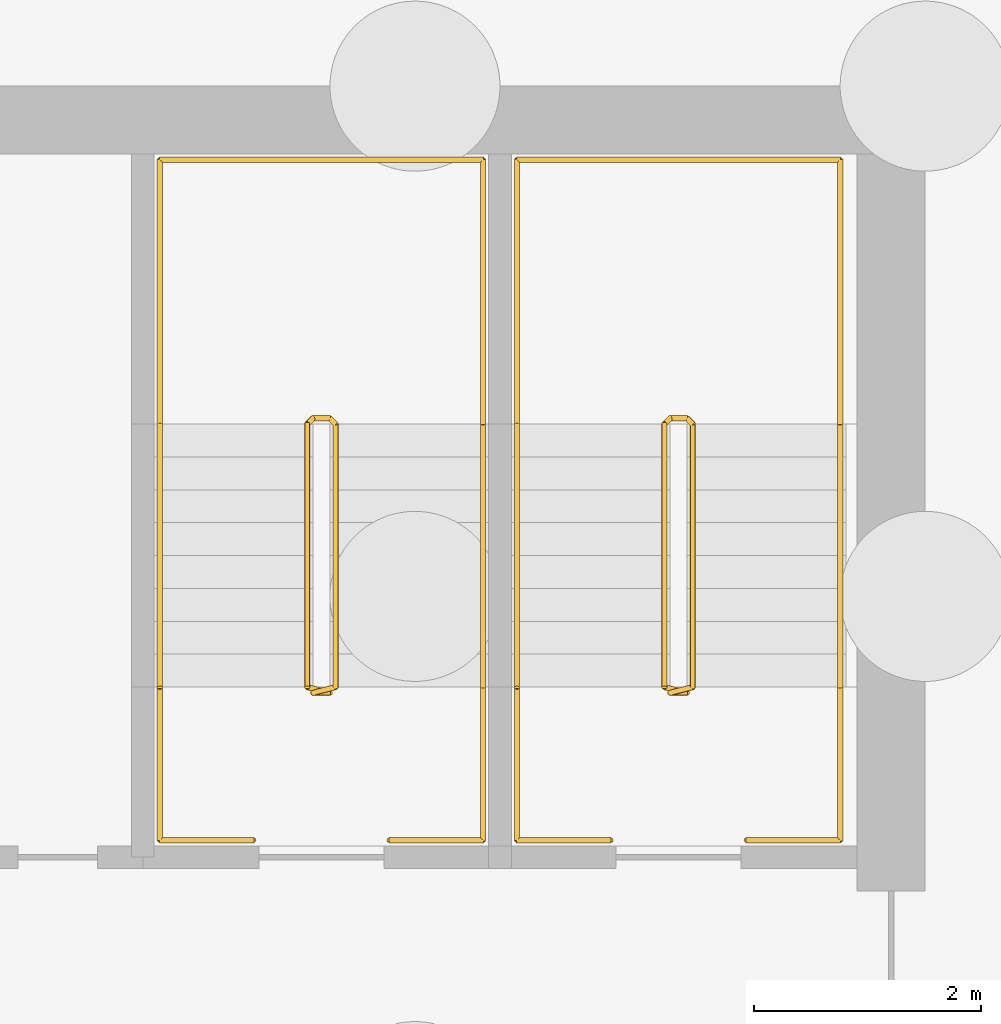
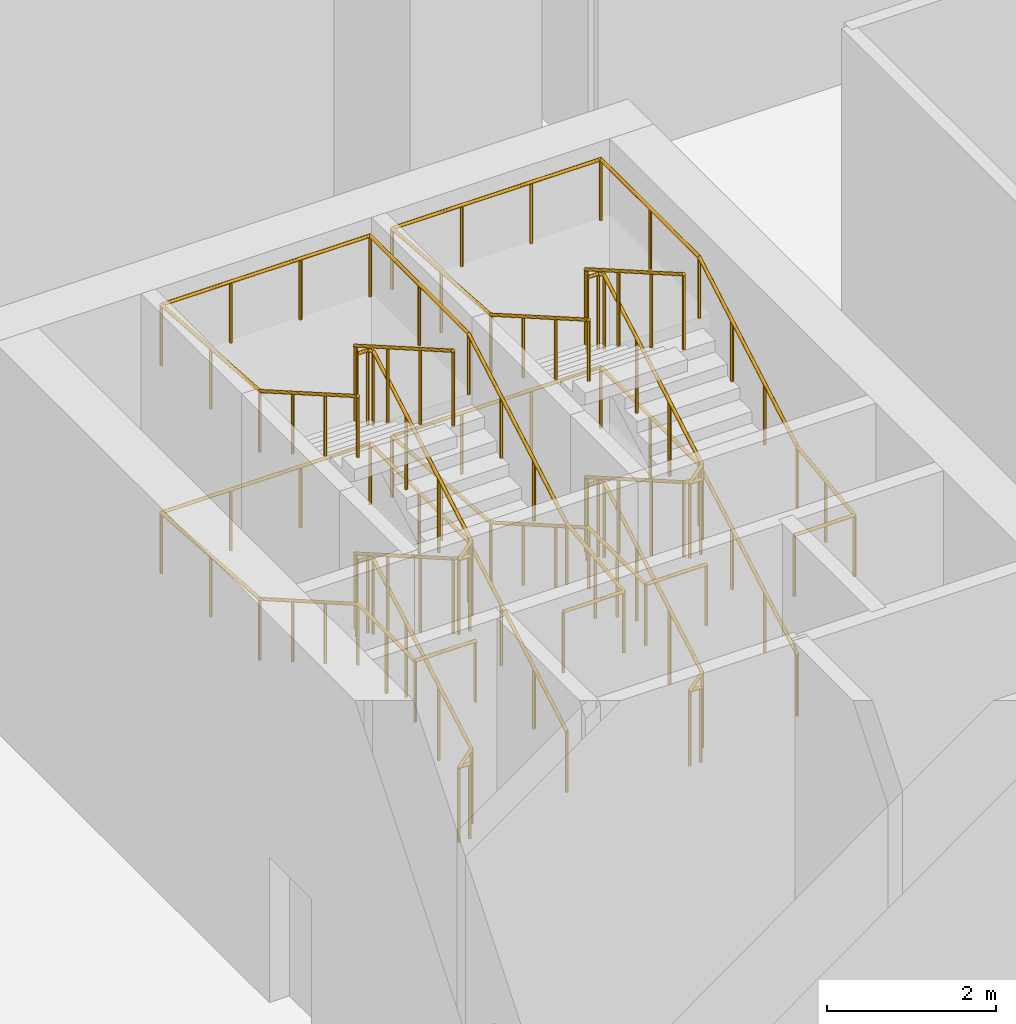
# One storey, part 20 of 26: 6 railings.
"""IFC4 building model written with IfcOpenShell, lengths in metres."""

from ifc_helpers import new_model, si_unit, direction, frame, origin, origin_2d, place, context, subcontext, project, spatial, circle, extrude, material, type_object, element, save


model = new_model("IFC4")

# Units and contexts
model_context = context("Model", 3, precision=1e-05, world=origin(), true_north=direction((0.0, 1.0)))
body_context = subcontext(model_context, "Body", "Model", "MODEL_VIEW")
ifc_project = project(units=[si_unit("LENGTHUNIT", "METRE"), si_unit("AREAUNIT", "SQUARE_METRE"), si_unit("VOLUMEUNIT", "CUBIC_METRE"), si_unit("PLANEANGLEUNIT", "RADIAN"), si_unit("MASSUNIT", "GRAM", prefix="KILO")], contexts=[model_context])

# Site, building, storey
site_placement = place(None, origin())
site = spatial("IfcSite", under=ifc_project, at=site_placement, CompositionType="ELEMENT")
building_placement = place(site_placement, origin())
building = spatial("IfcBuilding", under=site, at=building_placement, Name="Tessera Arch", CompositionType="ELEMENT")
storey_placement = place(building_placement, frame((0.0, 0.0, -6.0)))
storey = spatial("IfcBuildingStorey", under=building, at=storey_placement, Name="B1", CompositionType="ELEMENT", Elevation=-6.0)

# Railings
ifc_material_1 = material(Name="Painted steel balustrade", Category="steel")
railing_type_1 = type_object("IfcRailingType", Name="Stair guard 1100", PredefinedType="GUARDRAIL", material=ifc_material_1)
railing_1_placement = place(storey_placement, frame((15.89990234375, 17.14990234375, 0.0)))
element("IfcRailing", 1, at=railing_1_placement, inside=storey, type_object=railing_type_1, Name="B1 S4a stair guard 1", PredefinedType="GUARDRAIL", context=body_context, shape_type="SweptSolid", body=[
    extrude(circle(Radius=0.02392578125, at=origin_2d()), frame((0.00390625, 0.0, 1.076171875), z_axis=(-1.0, 0.0, 0.0), x_axis=(0.0, -1.0, 0.0)), (0.0, 0.0, 1.0), 0.157958984375),
    extrude(circle(Radius=0.02392578125, at=origin_2d()), frame((-0.15283203125, -0.000732421875, 1.073486328125), z_axis=(0.754182335027, 0.188775798145, 0.628945707965), x_axis=(-0.242814311512, 0.970072785993, 0.0)), (0.0, 0.0, 1.0), 0.273193359375),
    extrude(circle(Radius=0.02392578125, at=origin_2d()), frame((0.050048828125, 0.046630859375, 1.24072265625), z_axis=(0.0, 0.867033425039, 0.498249977285), x_axis=(-1.0, 0.0, 0.0)), (0.0, 0.0, 1.0), 2.683837890625),
    extrude(circle(Radius=0.02392578125, at=origin_2d()), frame((0.052978515625, 2.3671875, 2.576171875), z_axis=(-0.707106781187, 0.707106781187, 0.0), x_axis=(-0.707106781187, -0.707106781187, 0.0)), (0.0, 0.0, 1.0), 0.078857421875),
    extrude(circle(Radius=0.02392578125, at=origin_2d()), frame((0.00390625, 2.420166015625, 2.576171875), z_axis=(-1.0, 0.0, 0.0), x_axis=(0.0, -1.0, 0.0)), (0.0, 0.0, 1.0), 0.157958984375),
    extrude(circle(Radius=0.02392578125, at=origin_2d()), frame((-0.148681640625, 2.42138671875, 2.572265625), z_axis=(-0.27628659633, -0.27628659633, 0.920506074601), x_axis=(0.707106781187, -0.707106781187, 0.0)), (0.0, 0.0, 1.0), 0.189208984375),
    extrude(circle(Radius=0.02392578125, at=origin_2d()), frame((-0.199951171875, 2.37353515625, 2.74072265625), z_axis=(0.0, -0.867033425039, 0.498249977285), x_axis=(1.0, 0.0, 0.0)), (0.0, 0.0, 1.0), 2.683837890625),
    extrude(circle(Radius=0.02392578125, at=origin_2d()), frame((-0.203857421875, 0.051025390625, 4.076171875), z_axis=(0.970072785993, -0.242814311512, 0.0), x_axis=(0.242814311512, 0.970072785993, 0.0)), (0.0, 0.0, 1.0), 0.214111328125),
    extrude(circle(Radius=0.02392578125, at=origin_2d()), frame((0.00390625, 0.0, 4.076171875), z_axis=(-1.0, 0.0, 0.0), x_axis=(0.0, -1.0, 0.0)), (0.0, 0.0, 1.0), 0.157958984375),
    extrude(circle(Radius=0.02392578125, at=origin_2d()), frame((-0.15283203125, -0.000732421875, 4.073486328125), z_axis=(0.754182335027, 0.188775798145, 0.628945707965), x_axis=(-0.242814311512, 0.970072785993, 0.0)), (0.0, 0.0, 1.0), 0.273193359375),
    extrude(circle(Radius=0.02392578125, at=origin_2d()), frame((0.050048828125, 0.046630859375, 4.24072265625), z_axis=(0.0, 0.867033425039, 0.498249977285), x_axis=(-1.0, 0.0, 0.0)), (0.0, 0.0, 1.0), 2.683837890625),
    extrude(circle(Radius=0.02392578125, at=origin_2d()), frame((0.052978515625, 2.3671875, 5.576171875), z_axis=(-0.707106781187, 0.707106781187, 0.0), x_axis=(-0.707106781187, -0.707106781187, 0.0)), (0.0, 0.0, 1.0), 0.078857421875),
    extrude(circle(Radius=0.02392578125, at=origin_2d()), frame((0.00390625, 2.420166015625, 5.576171875), z_axis=(-1.0, 0.0, 0.0), x_axis=(0.0, -1.0, 0.0)), (0.0, 0.0, 1.0), 0.157958984375),
    extrude(circle(Radius=0.02392578125, at=origin_2d()), frame((-0.148681640625, 2.42138671875, 5.572265625), z_axis=(-0.27628659633, -0.27628659633, 0.920506074601), x_axis=(0.707106781187, -0.707106781187, 0.0)), (0.0, 0.0, 1.0), 0.189208984375),
    extrude(circle(Radius=0.02392578125, at=origin_2d()), frame((-0.199951171875, 2.37353515625, 5.74072265625), z_axis=(0.0, -0.867033425039, 0.498249977285), x_axis=(1.0, 0.0, 0.0)), (0.0, 0.0, 1.0), 2.683837890625),
    extrude(circle(Radius=0.02099609375, at=origin_2d()), origin(), (0.0, 0.0, 1.0), 1.06396484375),
    extrude(circle(Radius=0.02099609375, at=origin_2d()), frame((-0.14990234375, 0.0, 0.0)), (0.0, 0.0, 1.0), 1.06396484375),
    extrude(circle(Radius=0.02099609375, at=origin_2d()), frame((0.050048828125, 0.050048828125, 0.166748046875)), (0.0, 0.0, 1.0), 1.06396484375),
    extrude(circle(Radius=0.02099609375, at=origin_2d()), frame((0.050048828125, 0.823486328125, 0.611083984375)), (0.0, 0.0, 1.0), 1.06396484375),
    extrude(circle(Radius=0.02099609375, at=origin_2d()), frame((0.050048828125, 1.5966796875, 1.0556640625)), (0.0, 0.0, 1.0), 1.06396484375),
    extrude(circle(Radius=0.02099609375, at=origin_2d()), frame((0.050048828125, 2.3701171875, 1.5)), (0.0, 0.0, 1.0), 1.06396484375),
    extrude(circle(Radius=0.02099609375, at=origin_2d()), frame((0.0, 2.420166015625, 1.5)), (0.0, 0.0, 1.0), 1.06396484375),
    extrude(circle(Radius=0.02099609375, at=origin_2d()), frame((-0.14990234375, 2.420166015625, 1.5)), (0.0, 0.0, 1.0), 1.06396484375),
    extrude(circle(Radius=0.02099609375, at=origin_2d()), frame((-0.199951171875, 2.3701171875, 1.666748046875)), (0.0, 0.0, 1.0), 1.06396484375),
    extrude(circle(Radius=0.02099609375, at=origin_2d()), frame((-0.199951171875, 1.5966796875, 2.111083984375)), (0.0, 0.0, 1.0), 1.06396484375),
    extrude(circle(Radius=0.02099609375, at=origin_2d()), frame((-0.199951171875, 0.823486328125, 2.5556640625)), (0.0, 0.0, 1.0), 1.06396484375),
    extrude(circle(Radius=0.02099609375, at=origin_2d()), frame((-0.199951171875, 0.050048828125, 3.0)), (0.0, 0.0, 1.0), 1.06396484375),
    extrude(circle(Radius=0.02099609375, at=origin_2d()), frame((0.0, 0.0, 3.0)), (0.0, 0.0, 1.0), 1.06396484375),
    extrude(circle(Radius=0.02099609375, at=origin_2d()), frame((-0.14990234375, 0.0, 3.0)), (0.0, 0.0, 1.0), 1.06396484375),
    extrude(circle(Radius=0.02099609375, at=origin_2d()), frame((0.050048828125, 0.050048828125, 3.166748046875)), (0.0, 0.0, 1.0), 1.06396484375),
    extrude(circle(Radius=0.02099609375, at=origin_2d()), frame((0.050048828125, 0.823486328125, 3.611083984375)), (0.0, 0.0, 1.0), 1.06396484375),
    extrude(circle(Radius=0.02099609375, at=origin_2d()), frame((0.050048828125, 1.5966796875, 4.0556640625)), (0.0, 0.0, 1.0), 1.06396484375),
    extrude(circle(Radius=0.02099609375, at=origin_2d()), frame((0.050048828125, 2.3701171875, 4.5)), (0.0, 0.0, 1.0), 1.06396484375),
    extrude(circle(Radius=0.02099609375, at=origin_2d()), frame((0.0, 2.420166015625, 4.5)), (0.0, 0.0, 1.0), 1.06396484375),
    extrude(circle(Radius=0.02099609375, at=origin_2d()), frame((-0.14990234375, 2.420166015625, 4.5)), (0.0, 0.0, 1.0), 1.06396484375),
    extrude(circle(Radius=0.02099609375, at=origin_2d()), frame((-0.199951171875, 2.3701171875, 4.666748046875)), (0.0, 0.0, 1.0), 1.06396484375),
    extrude(circle(Radius=0.02099609375, at=origin_2d()), frame((-0.199951171875, 1.5966796875, 5.111083984375)), (0.0, 0.0, 1.0), 1.06396484375),
    extrude(circle(Radius=0.02099609375, at=origin_2d()), frame((-0.199951171875, 0.823486328125, 5.5556640625)), (0.0, 0.0, 1.0), 1.06396484375),
    extrude(circle(Radius=0.02099609375, at=origin_2d()), frame((-0.199951171875, 0.050048828125, 6.0)), (0.0, 0.0, 1.0), 1.06396484375),
])
railing_2_placement = place(storey_placement, frame((12.75, 17.14990234375, 0.0)))
element("IfcRailing", 2, at=railing_2_placement, inside=storey, type_object=railing_type_1, Name="B1 S4b stair guard 1", PredefinedType="GUARDRAIL", context=body_context, shape_type="SweptSolid", body=[
    extrude(circle(Radius=0.02392578125, at=origin_2d()), frame((0.00390625, 0.0, 1.076171875), z_axis=(-1.0, 0.0, 0.0), x_axis=(0.0, -1.0, 0.0)), (0.0, 0.0, 1.0), 0.157958984375),
    extrude(circle(Radius=0.02392578125, at=origin_2d()), frame((-0.15283203125, -0.000732421875, 1.073486328125), z_axis=(0.754182335027, 0.188775798145, 0.628945707965), x_axis=(-0.242814311512, 0.970072785993, 0.0)), (0.0, 0.0, 1.0), 0.273193359375),
    extrude(circle(Radius=0.02392578125, at=origin_2d()), frame((0.050048828125, 0.046630859375, 1.24072265625), z_axis=(0.0, 0.867033425039, 0.498249977285), x_axis=(-1.0, 0.0, 0.0)), (0.0, 0.0, 1.0), 2.683837890625),
    extrude(circle(Radius=0.02392578125, at=origin_2d()), frame((0.052978515625, 2.3671875, 2.576171875), z_axis=(-0.707106781187, 0.707106781187, 0.0), x_axis=(-0.707106781187, -0.707106781187, 0.0)), (0.0, 0.0, 1.0), 0.078857421875),
    extrude(circle(Radius=0.02392578125, at=origin_2d()), frame((0.00390625, 2.420166015625, 2.576171875), z_axis=(-1.0, 0.0, 0.0), x_axis=(0.0, -1.0, 0.0)), (0.0, 0.0, 1.0), 0.157958984375),
    extrude(circle(Radius=0.02392578125, at=origin_2d()), frame((-0.148681640625, 2.42138671875, 2.572265625), z_axis=(-0.27628659633, -0.27628659633, 0.920506074601), x_axis=(0.707106781187, -0.707106781187, 0.0)), (0.0, 0.0, 1.0), 0.189208984375),
    extrude(circle(Radius=0.02392578125, at=origin_2d()), frame((-0.199951171875, 2.37353515625, 2.74072265625), z_axis=(0.0, -0.867033425039, 0.498249977285), x_axis=(1.0, 0.0, 0.0)), (0.0, 0.0, 1.0), 2.683837890625),
    extrude(circle(Radius=0.02392578125, at=origin_2d()), frame((-0.203857421875, 0.051025390625, 4.076171875), z_axis=(0.970072785993, -0.242814311512, 0.0), x_axis=(0.242814311512, 0.970072785993, 0.0)), (0.0, 0.0, 1.0), 0.214111328125),
    extrude(circle(Radius=0.02392578125, at=origin_2d()), frame((0.00390625, 0.0, 4.076171875), z_axis=(-1.0, 0.0, 0.0), x_axis=(0.0, -1.0, 0.0)), (0.0, 0.0, 1.0), 0.157958984375),
    extrude(circle(Radius=0.02392578125, at=origin_2d()), frame((-0.15283203125, -0.000732421875, 4.073486328125), z_axis=(0.754182335027, 0.188775798145, 0.628945707965), x_axis=(-0.242814311512, 0.970072785993, 0.0)), (0.0, 0.0, 1.0), 0.273193359375),
    extrude(circle(Radius=0.02392578125, at=origin_2d()), frame((0.050048828125, 0.046630859375, 4.24072265625), z_axis=(0.0, 0.867033425039, 0.498249977285), x_axis=(-1.0, 0.0, 0.0)), (0.0, 0.0, 1.0), 2.683837890625),
    extrude(circle(Radius=0.02392578125, at=origin_2d()), frame((0.052978515625, 2.3671875, 5.576171875), z_axis=(-0.707106781187, 0.707106781187, 0.0), x_axis=(-0.707106781187, -0.707106781187, 0.0)), (0.0, 0.0, 1.0), 0.078857421875),
    extrude(circle(Radius=0.02392578125, at=origin_2d()), frame((0.00390625, 2.420166015625, 5.576171875), z_axis=(-1.0, 0.0, 0.0), x_axis=(0.0, -1.0, 0.0)), (0.0, 0.0, 1.0), 0.157958984375),
    extrude(circle(Radius=0.02392578125, at=origin_2d()), frame((-0.148681640625, 2.42138671875, 5.572265625), z_axis=(-0.27628659633, -0.27628659633, 0.920506074601), x_axis=(0.707106781187, -0.707106781187, 0.0)), (0.0, 0.0, 1.0), 0.189208984375),
    extrude(circle(Radius=0.02392578125, at=origin_2d()), frame((-0.199951171875, 2.37353515625, 5.74072265625), z_axis=(0.0, -0.867033425039, 0.498249977285), x_axis=(1.0, 0.0, 0.0)), (0.0, 0.0, 1.0), 2.683837890625),
    extrude(circle(Radius=0.02099609375, at=origin_2d()), origin(), (0.0, 0.0, 1.0), 1.06396484375),
    extrude(circle(Radius=0.02099609375, at=origin_2d()), frame((-0.14990234375, 0.0, 0.0)), (0.0, 0.0, 1.0), 1.06396484375),
    extrude(circle(Radius=0.02099609375, at=origin_2d()), frame((0.050048828125, 0.050048828125, 0.166748046875)), (0.0, 0.0, 1.0), 1.06396484375),
    extrude(circle(Radius=0.02099609375, at=origin_2d()), frame((0.050048828125, 0.823486328125, 0.611083984375)), (0.0, 0.0, 1.0), 1.06396484375),
    extrude(circle(Radius=0.02099609375, at=origin_2d()), frame((0.050048828125, 1.5966796875, 1.0556640625)), (0.0, 0.0, 1.0), 1.06396484375),
    extrude(circle(Radius=0.02099609375, at=origin_2d()), frame((0.050048828125, 2.3701171875, 1.5)), (0.0, 0.0, 1.0), 1.06396484375),
    extrude(circle(Radius=0.02099609375, at=origin_2d()), frame((0.0, 2.420166015625, 1.5)), (0.0, 0.0, 1.0), 1.06396484375),
    extrude(circle(Radius=0.02099609375, at=origin_2d()), frame((-0.14990234375, 2.420166015625, 1.5)), (0.0, 0.0, 1.0), 1.06396484375),
    extrude(circle(Radius=0.02099609375, at=origin_2d()), frame((-0.199951171875, 2.3701171875, 1.666748046875)), (0.0, 0.0, 1.0), 1.06396484375),
    extrude(circle(Radius=0.02099609375, at=origin_2d()), frame((-0.199951171875, 1.5966796875, 2.111083984375)), (0.0, 0.0, 1.0), 1.06396484375),
    extrude(circle(Radius=0.02099609375, at=origin_2d()), frame((-0.199951171875, 0.823486328125, 2.5556640625)), (0.0, 0.0, 1.0), 1.06396484375),
    extrude(circle(Radius=0.02099609375, at=origin_2d()), frame((-0.199951171875, 0.050048828125, 3.0)), (0.0, 0.0, 1.0), 1.06396484375),
    extrude(circle(Radius=0.02099609375, at=origin_2d()), frame((0.0, 0.0, 3.0)), (0.0, 0.0, 1.0), 1.06396484375),
    extrude(circle(Radius=0.02099609375, at=origin_2d()), frame((-0.14990234375, 0.0, 3.0)), (0.0, 0.0, 1.0), 1.06396484375),
    extrude(circle(Radius=0.02099609375, at=origin_2d()), frame((0.050048828125, 0.050048828125, 3.166748046875)), (0.0, 0.0, 1.0), 1.06396484375),
    extrude(circle(Radius=0.02099609375, at=origin_2d()), frame((0.050048828125, 0.823486328125, 3.611083984375)), (0.0, 0.0, 1.0), 1.06396484375),
    extrude(circle(Radius=0.02099609375, at=origin_2d()), frame((0.050048828125, 1.5966796875, 4.0556640625)), (0.0, 0.0, 1.0), 1.06396484375),
    extrude(circle(Radius=0.02099609375, at=origin_2d()), frame((0.050048828125, 2.3701171875, 4.5)), (0.0, 0.0, 1.0), 1.06396484375),
    extrude(circle(Radius=0.02099609375, at=origin_2d()), frame((0.0, 2.420166015625, 4.5)), (0.0, 0.0, 1.0), 1.06396484375),
    extrude(circle(Radius=0.02099609375, at=origin_2d()), frame((-0.14990234375, 2.420166015625, 4.5)), (0.0, 0.0, 1.0), 1.06396484375),
    extrude(circle(Radius=0.02099609375, at=origin_2d()), frame((-0.199951171875, 2.3701171875, 4.666748046875)), (0.0, 0.0, 1.0), 1.06396484375),
    extrude(circle(Radius=0.02099609375, at=origin_2d()), frame((-0.199951171875, 1.5966796875, 5.111083984375)), (0.0, 0.0, 1.0), 1.06396484375),
    extrude(circle(Radius=0.02099609375, at=origin_2d()), frame((-0.199951171875, 0.823486328125, 5.5556640625)), (0.0, 0.0, 1.0), 1.06396484375),
    extrude(circle(Radius=0.02099609375, at=origin_2d()), frame((-0.199951171875, 0.050048828125, 6.0)), (0.0, 0.0, 1.0), 1.06396484375),
])
ifc_material_2 = material(Name="Painted steel handrail", Category="steel")
railing_type_2 = type_object("IfcRailingType", Name="Stair handrail 900", PredefinedType="HANDRAIL", material=ifc_material_2)
railing_3_placement = place(storey_placement, frame((17.25, 17.199951171875, 0.166748046875)))
element("IfcRailing", 3, at=railing_3_placement, inside=storey, type_object=railing_type_2, Name="B1 S4a stair handrail", PredefinedType="HANDRAIL", context=body_context, shape_type="SweptSolid", body=[
    extrude(circle(Radius=0.02392578125, at=origin_2d()), frame((0.0, -0.00341796875, 0.873779296875), z_axis=(0.0, 0.867033425039, 0.498249977285), x_axis=(-1.0, 0.0, 0.0)), (0.0, 0.0, 1.0), 2.683837890625),
    extrude(circle(Radius=0.02392578125, at=origin_2d()), frame((0.0, 2.316162109375, 2.208984375), z_axis=(0.0, 1.0, 0.0), x_axis=(-1.0, 0.0, 0.0)), (0.0, 0.0, 1.0), 2.338134765625),
    extrude(circle(Radius=0.02392578125, at=origin_2d()), frame((0.00390625, 4.650146484375, 2.208984375), z_axis=(-1.0, 0.0, 0.0), x_axis=(0.0, -1.0, 0.0)), (0.0, 0.0, 1.0), 2.858154296875),
    extrude(circle(Radius=0.02392578125, at=origin_2d()), frame((-2.85009765625, 4.654052734375, 2.208740234375), z_axis=(0.0, -0.99744914168, 0.071380738031), x_axis=(1.0, 0.0, 0.0)), (0.0, 0.0, 1.0), 2.343994140625),
    extrude(circle(Radius=0.02392578125, at=origin_2d()), frame((-2.85009765625, 2.323486328125, 2.373779296875), z_axis=(0.0, -0.867033425039, 0.498249977285), x_axis=(1.0, 0.0, 0.0)), (0.0, 0.0, 1.0), 2.683837890625),
    extrude(circle(Radius=0.02392578125, at=origin_2d()), frame((-2.85009765625, 0.00390625, 3.708984375), z_axis=(0.0, -1.0, 0.0), x_axis=(1.0, 0.0, 0.0)), (0.0, 0.0, 1.0), 1.35791015625),
    extrude(circle(Radius=0.02392578125, at=origin_2d()), frame((-2.85400390625, -1.349853515625, 3.708984375), z_axis=(1.0, 0.0, 0.0), x_axis=(0.0, 1.0, 0.0)), (0.0, 0.0, 1.0), 0.833251953125),
    extrude(circle(Radius=0.02099609375, at=origin_2d()), origin(), (0.0, 0.0, 1.0), 0.86376953125),
    extrude(circle(Radius=0.02099609375, at=origin_2d()), frame((0.0, 0.7734375, 0.4443359375)), (0.0, 0.0, 1.0), 0.86376953125),
    extrude(circle(Radius=0.02099609375, at=origin_2d()), frame((0.0, 1.546630859375, 0.888916015625)), (0.0, 0.0, 1.0), 0.86376953125),
    extrude(circle(Radius=0.02099609375, at=origin_2d()), frame((0.0, 2.320068359375, 1.333251953125)), (0.0, 0.0, 1.0), 0.86376953125),
    extrude(circle(Radius=0.02099609375, at=origin_2d()), frame((0.0, 3.485107421875, 1.333251953125)), (0.0, 0.0, 1.0), 0.86376953125),
    extrude(circle(Radius=0.02099609375, at=origin_2d()), frame((0.0, 4.650146484375, 1.333251953125)), (0.0, 0.0, 1.0), 0.86376953125),
    extrude(circle(Radius=0.02099609375, at=origin_2d()), frame((-0.949951171875, 4.650146484375, 1.333251953125)), (0.0, 0.0, 1.0), 0.86376953125),
    extrude(circle(Radius=0.02099609375, at=origin_2d()), frame((-1.900146484375, 4.650146484375, 1.333251953125)), (0.0, 0.0, 1.0), 0.86376953125),
    extrude(circle(Radius=0.02099609375, at=origin_2d()), frame((-2.85009765625, 4.650146484375, 1.333251953125)), (0.0, 0.0, 1.0), 0.86376953125),
    extrude(circle(Radius=0.02099609375, at=origin_2d()), frame((-2.85009765625, 3.485107421875, 1.41650390625)), (0.0, 0.0, 1.0), 0.86376953125),
    extrude(circle(Radius=0.02099609375, at=origin_2d()), frame((-2.85009765625, 2.320068359375, 1.5)), (0.0, 0.0, 1.0), 0.86376953125),
    extrude(circle(Radius=0.02099609375, at=origin_2d()), frame((-2.85009765625, 1.546630859375, 1.9443359375)), (0.0, 0.0, 1.0), 0.86376953125),
    extrude(circle(Radius=0.02099609375, at=origin_2d()), frame((-2.85009765625, 0.7734375, 2.388916015625)), (0.0, 0.0, 1.0), 0.86376953125),
    extrude(circle(Radius=0.02099609375, at=origin_2d()), frame((-2.85009765625, 0.0, 2.833251953125)), (0.0, 0.0, 1.0), 0.86376953125),
    extrude(circle(Radius=0.02099609375, at=origin_2d()), frame((-2.85009765625, -0.6748046875, 2.833251953125)), (0.0, 0.0, 1.0), 0.86376953125),
    extrude(circle(Radius=0.02099609375, at=origin_2d()), frame((-2.85009765625, -1.349853515625, 2.833251953125)), (0.0, 0.0, 1.0), 0.86376953125),
    extrude(circle(Radius=0.02099609375, at=origin_2d()), frame((-2.02490234375, -1.349853515625, 2.833251953125)), (0.0, 0.0, 1.0), 0.86376953125),
])
railing_4_placement = place(storey_placement, frame((16.425048828125, 15.85009765625, 3.0)))
element("IfcRailing", 4, at=railing_4_placement, inside=storey, type_object=railing_type_2, Name="B1 S4a stair handrail 2", PredefinedType="HANDRAIL", context=body_context, shape_type="SweptSolid", body=[
    extrude(circle(Radius=0.02392578125, at=origin_2d()), frame((-0.00390625, 0.0, 0.8759765625), z_axis=(1.0, 0.0, 0.0), x_axis=(0.0, 1.0, 0.0)), (0.0, 0.0, 1.0), 0.8330078125),
    extrude(circle(Radius=0.02392578125, at=origin_2d()), frame((0.824951171875, -0.00390625, 0.875244140625), z_axis=(0.0, 0.992456337791, 0.122598603493), x_axis=(-1.0, 0.0, 0.0)), (0.0, 0.0, 1.0), 1.3681640625),
    extrude(circle(Radius=0.02392578125, at=origin_2d()), frame((0.824951171875, 1.346435546875, 1.04052734375), z_axis=(0.0, 0.867033425039, 0.498249977285), x_axis=(-1.0, 0.0, 0.0)), (0.0, 0.0, 1.0), 2.683837890625),
    extrude(circle(Radius=0.02392578125, at=origin_2d()), frame((0.824951171875, 3.666015625, 2.3759765625), z_axis=(0.0, 1.0, 0.0), x_axis=(-1.0, 0.0, 0.0)), (0.0, 0.0, 1.0), 2.338134765625),
    extrude(circle(Radius=0.02392578125, at=origin_2d()), frame((0.828857421875, 6.0, 2.3759765625), z_axis=(-1.0, 0.0, 0.0), x_axis=(0.0, -1.0, 0.0)), (0.0, 0.0, 1.0), 2.858154296875),
    extrude(circle(Radius=0.02392578125, at=origin_2d()), frame((-2.025146484375, 6.00390625, 2.37548828125), z_axis=(0.0, -0.99744914168, 0.071380738031), x_axis=(1.0, 0.0, 0.0)), (0.0, 0.0, 1.0), 2.343994140625),
    extrude(circle(Radius=0.02392578125, at=origin_2d()), frame((-2.025146484375, 3.67333984375, 2.54052734375), z_axis=(0.0, -0.867033425039, 0.498249977285), x_axis=(1.0, 0.0, 0.0)), (0.0, 0.0, 1.0), 2.683837890625),
    extrude(circle(Radius=0.02099609375, at=origin_2d()), origin(), (0.0, 0.0, 1.0), 0.86376953125),
    extrude(circle(Radius=0.02099609375, at=origin_2d()), frame((0.824951171875, 0.0, 0.0)), (0.0, 0.0, 1.0), 0.86376953125),
    extrude(circle(Radius=0.02099609375, at=origin_2d()), frame((0.824951171875, 0.6748046875, 0.08349609375)), (0.0, 0.0, 1.0), 0.86376953125),
    extrude(circle(Radius=0.02099609375, at=origin_2d()), frame((0.824951171875, 1.349853515625, 0.166748046875)), (0.0, 0.0, 1.0), 0.86376953125),
    extrude(circle(Radius=0.02099609375, at=origin_2d()), frame((0.824951171875, 2.123291015625, 0.611083984375)), (0.0, 0.0, 1.0), 0.86376953125),
    extrude(circle(Radius=0.02099609375, at=origin_2d()), frame((0.824951171875, 2.896484375, 1.0556640625)), (0.0, 0.0, 1.0), 0.86376953125),
    extrude(circle(Radius=0.02099609375, at=origin_2d()), frame((0.824951171875, 3.669921875, 1.5)), (0.0, 0.0, 1.0), 0.86376953125),
    extrude(circle(Radius=0.02099609375, at=origin_2d()), frame((0.824951171875, 4.8349609375, 1.5)), (0.0, 0.0, 1.0), 0.86376953125),
    extrude(circle(Radius=0.02099609375, at=origin_2d()), frame((0.824951171875, 6.0, 1.5)), (0.0, 0.0, 1.0), 0.86376953125),
    extrude(circle(Radius=0.02099609375, at=origin_2d()), frame((-0.125, 6.0, 1.5)), (0.0, 0.0, 1.0), 0.86376953125),
    extrude(circle(Radius=0.02099609375, at=origin_2d()), frame((-1.0751953125, 6.0, 1.5)), (0.0, 0.0, 1.0), 0.86376953125),
    extrude(circle(Radius=0.02099609375, at=origin_2d()), frame((-2.025146484375, 6.0, 1.5)), (0.0, 0.0, 1.0), 0.86376953125),
    extrude(circle(Radius=0.02099609375, at=origin_2d()), frame((-2.025146484375, 4.8349609375, 1.58349609375)), (0.0, 0.0, 1.0), 0.86376953125),
    extrude(circle(Radius=0.02099609375, at=origin_2d()), frame((-2.025146484375, 3.669921875, 1.666748046875)), (0.0, 0.0, 1.0), 0.86376953125),
    extrude(circle(Radius=0.02099609375, at=origin_2d()), frame((-2.025146484375, 2.896484375, 2.111083984375)), (0.0, 0.0, 1.0), 0.86376953125),
    extrude(circle(Radius=0.02099609375, at=origin_2d()), frame((-2.025146484375, 2.123291015625, 2.5556640625)), (0.0, 0.0, 1.0), 0.86376953125),
    extrude(circle(Radius=0.02099609375, at=origin_2d()), frame((-2.025146484375, 1.349853515625, 3.0)), (0.0, 0.0, 1.0), 0.86376953125),
])
railing_5_placement = place(storey_placement, frame((14.10009765625, 17.199951171875, 0.166748046875)))
element("IfcRailing", 5, at=railing_5_placement, inside=storey, type_object=railing_type_2, Name="B1 S4b stair handrail", PredefinedType="HANDRAIL", context=body_context, shape_type="SweptSolid", body=[
    extrude(circle(Radius=0.02392578125, at=origin_2d()), frame((0.0, -0.00341796875, 0.873779296875), z_axis=(0.0, 0.867033425039, 0.498249977285), x_axis=(-1.0, 0.0, 0.0)), (0.0, 0.0, 1.0), 2.683837890625),
    extrude(circle(Radius=0.02392578125, at=origin_2d()), frame((0.0, 2.316162109375, 2.208984375), z_axis=(0.0, 1.0, 0.0), x_axis=(-1.0, 0.0, 0.0)), (0.0, 0.0, 1.0), 2.338134765625),
    extrude(circle(Radius=0.02392578125, at=origin_2d()), frame((0.00390625, 4.650146484375, 2.208984375), z_axis=(-1.0, 0.0, 0.0), x_axis=(0.0, -1.0, 0.0)), (0.0, 0.0, 1.0), 2.858154296875),
    extrude(circle(Radius=0.02392578125, at=origin_2d()), frame((-2.85009765625, 4.654052734375, 2.208740234375), z_axis=(0.0, -0.99744914168, 0.071380738031), x_axis=(1.0, 0.0, 0.0)), (0.0, 0.0, 1.0), 2.343994140625),
    extrude(circle(Radius=0.02392578125, at=origin_2d()), frame((-2.85009765625, 2.323486328125, 2.373779296875), z_axis=(0.0, -0.867033425039, 0.498249977285), x_axis=(1.0, 0.0, 0.0)), (0.0, 0.0, 1.0), 2.683837890625),
    extrude(circle(Radius=0.02392578125, at=origin_2d()), frame((-2.85009765625, 0.00390625, 3.708984375), z_axis=(0.0, -1.0, 0.0), x_axis=(1.0, 0.0, 0.0)), (0.0, 0.0, 1.0), 1.35791015625),
    extrude(circle(Radius=0.02392578125, at=origin_2d()), frame((-2.85400390625, -1.349853515625, 3.708984375), z_axis=(1.0, 0.0, 0.0), x_axis=(0.0, 1.0, 0.0)), (0.0, 0.0, 1.0), 0.8330078125),
    extrude(circle(Radius=0.02099609375, at=origin_2d()), origin(), (0.0, 0.0, 1.0), 0.86376953125),
    extrude(circle(Radius=0.02099609375, at=origin_2d()), frame((0.0, 0.7734375, 0.4443359375)), (0.0, 0.0, 1.0), 0.86376953125),
    extrude(circle(Radius=0.02099609375, at=origin_2d()), frame((0.0, 1.546630859375, 0.888916015625)), (0.0, 0.0, 1.0), 0.86376953125),
    extrude(circle(Radius=0.02099609375, at=origin_2d()), frame((0.0, 2.320068359375, 1.333251953125)), (0.0, 0.0, 1.0), 0.86376953125),
    extrude(circle(Radius=0.02099609375, at=origin_2d()), frame((0.0, 3.485107421875, 1.333251953125)), (0.0, 0.0, 1.0), 0.86376953125),
    extrude(circle(Radius=0.02099609375, at=origin_2d()), frame((0.0, 4.650146484375, 1.333251953125)), (0.0, 0.0, 1.0), 0.86376953125),
    extrude(circle(Radius=0.02099609375, at=origin_2d()), frame((-0.949951171875, 4.650146484375, 1.333251953125)), (0.0, 0.0, 1.0), 0.86376953125),
    extrude(circle(Radius=0.02099609375, at=origin_2d()), frame((-1.900146484375, 4.650146484375, 1.333251953125)), (0.0, 0.0, 1.0), 0.86376953125),
    extrude(circle(Radius=0.02099609375, at=origin_2d()), frame((-2.85009765625, 4.650146484375, 1.333251953125)), (0.0, 0.0, 1.0), 0.86376953125),
    extrude(circle(Radius=0.02099609375, at=origin_2d()), frame((-2.85009765625, 3.485107421875, 1.41650390625)), (0.0, 0.0, 1.0), 0.86376953125),
    extrude(circle(Radius=0.02099609375, at=origin_2d()), frame((-2.85009765625, 2.320068359375, 1.5)), (0.0, 0.0, 1.0), 0.86376953125),
    extrude(circle(Radius=0.02099609375, at=origin_2d()), frame((-2.85009765625, 1.546630859375, 1.9443359375)), (0.0, 0.0, 1.0), 0.86376953125),
    extrude(circle(Radius=0.02099609375, at=origin_2d()), frame((-2.85009765625, 0.7734375, 2.388916015625)), (0.0, 0.0, 1.0), 0.86376953125),
    extrude(circle(Radius=0.02099609375, at=origin_2d()), frame((-2.85009765625, 0.0, 2.833251953125)), (0.0, 0.0, 1.0), 0.86376953125),
    extrude(circle(Radius=0.02099609375, at=origin_2d()), frame((-2.85009765625, -0.6748046875, 2.833251953125)), (0.0, 0.0, 1.0), 0.86376953125),
    extrude(circle(Radius=0.02099609375, at=origin_2d()), frame((-2.85009765625, -1.349853515625, 2.833251953125)), (0.0, 0.0, 1.0), 0.86376953125),
    extrude(circle(Radius=0.02099609375, at=origin_2d()), frame((-2.025146484375, -1.349853515625, 2.833251953125)), (0.0, 0.0, 1.0), 0.86376953125),
])
railing_6_placement = place(storey_placement, frame((13.27490234375, 15.85009765625, 3.0)))
element("IfcRailing", 6, at=railing_6_placement, inside=storey, type_object=railing_type_2, Name="B1 S4b stair handrail 2", PredefinedType="HANDRAIL", context=body_context, shape_type="SweptSolid", body=[
    extrude(circle(Radius=0.02392578125, at=origin_2d()), frame((-0.00390625, 0.0, 0.8759765625), z_axis=(1.0, 0.0, 0.0), x_axis=(0.0, 1.0, 0.0)), (0.0, 0.0, 1.0), 0.833251953125),
    extrude(circle(Radius=0.02392578125, at=origin_2d()), frame((0.8251953125, -0.00390625, 0.875244140625), z_axis=(0.0, 0.992456337791, 0.122598603493), x_axis=(-1.0, 0.0, 0.0)), (0.0, 0.0, 1.0), 1.3681640625),
    extrude(circle(Radius=0.02392578125, at=origin_2d()), frame((0.8251953125, 1.346435546875, 1.04052734375), z_axis=(0.0, 0.867033425039, 0.498249977285), x_axis=(-1.0, 0.0, 0.0)), (0.0, 0.0, 1.0), 2.683837890625),
    extrude(circle(Radius=0.02392578125, at=origin_2d()), frame((0.8251953125, 3.666015625, 2.3759765625), z_axis=(0.0, 1.0, 0.0), x_axis=(-1.0, 0.0, 0.0)), (0.0, 0.0, 1.0), 2.338134765625),
    extrude(circle(Radius=0.02392578125, at=origin_2d()), frame((0.8291015625, 6.0, 2.3759765625), z_axis=(-1.0, 0.0, 0.0), x_axis=(0.0, -1.0, 0.0)), (0.0, 0.0, 1.0), 2.858154296875),
    extrude(circle(Radius=0.02392578125, at=origin_2d()), frame((-2.02490234375, 6.00390625, 2.37548828125), z_axis=(0.0, -0.99744914168, 0.071380738031), x_axis=(1.0, 0.0, 0.0)), (0.0, 0.0, 1.0), 2.343994140625),
    extrude(circle(Radius=0.02392578125, at=origin_2d()), frame((-2.02490234375, 3.67333984375, 2.54052734375), z_axis=(0.0, -0.867033425039, 0.498249977285), x_axis=(1.0, 0.0, 0.0)), (0.0, 0.0, 1.0), 2.683837890625),
    extrude(circle(Radius=0.02099609375, at=origin_2d()), origin(), (0.0, 0.0, 1.0), 0.86376953125),
    extrude(circle(Radius=0.02099609375, at=origin_2d()), frame((0.8251953125, 0.0, 0.0)), (0.0, 0.0, 1.0), 0.86376953125),
    extrude(circle(Radius=0.02099609375, at=origin_2d()), frame((0.8251953125, 0.6748046875, 0.08349609375)), (0.0, 0.0, 1.0), 0.86376953125),
    extrude(circle(Radius=0.02099609375, at=origin_2d()), frame((0.8251953125, 1.349853515625, 0.166748046875)), (0.0, 0.0, 1.0), 0.86376953125),
    extrude(circle(Radius=0.02099609375, at=origin_2d()), frame((0.8251953125, 2.123291015625, 0.611083984375)), (0.0, 0.0, 1.0), 0.86376953125),
    extrude(circle(Radius=0.02099609375, at=origin_2d()), frame((0.8251953125, 2.896484375, 1.0556640625)), (0.0, 0.0, 1.0), 0.86376953125),
    extrude(circle(Radius=0.02099609375, at=origin_2d()), frame((0.8251953125, 3.669921875, 1.5)), (0.0, 0.0, 1.0), 0.86376953125),
    extrude(circle(Radius=0.02099609375, at=origin_2d()), frame((0.8251953125, 4.8349609375, 1.5)), (0.0, 0.0, 1.0), 0.86376953125),
    extrude(circle(Radius=0.02099609375, at=origin_2d()), frame((0.8251953125, 6.0, 1.5)), (0.0, 0.0, 1.0), 0.86376953125),
    extrude(circle(Radius=0.02099609375, at=origin_2d()), frame((-0.124755859375, 6.0, 1.5)), (0.0, 0.0, 1.0), 0.86376953125),
    extrude(circle(Radius=0.02099609375, at=origin_2d()), frame((-1.074951171875, 6.0, 1.5)), (0.0, 0.0, 1.0), 0.86376953125),
    extrude(circle(Radius=0.02099609375, at=origin_2d()), frame((-2.02490234375, 6.0, 1.5)), (0.0, 0.0, 1.0), 0.86376953125),
    extrude(circle(Radius=0.02099609375, at=origin_2d()), frame((-2.02490234375, 4.8349609375, 1.58349609375)), (0.0, 0.0, 1.0), 0.86376953125),
    extrude(circle(Radius=0.02099609375, at=origin_2d()), frame((-2.02490234375, 3.669921875, 1.666748046875)), (0.0, 0.0, 1.0), 0.86376953125),
    extrude(circle(Radius=0.02099609375, at=origin_2d()), frame((-2.02490234375, 2.896484375, 2.111083984375)), (0.0, 0.0, 1.0), 0.86376953125),
    extrude(circle(Radius=0.02099609375, at=origin_2d()), frame((-2.02490234375, 2.123291015625, 2.5556640625)), (0.0, 0.0, 1.0), 0.86376953125),
    extrude(circle(Radius=0.02099609375, at=origin_2d()), frame((-2.02490234375, 1.349853515625, 3.0)), (0.0, 0.0, 1.0), 0.86376953125),
])

save(model, "model.ifc")
